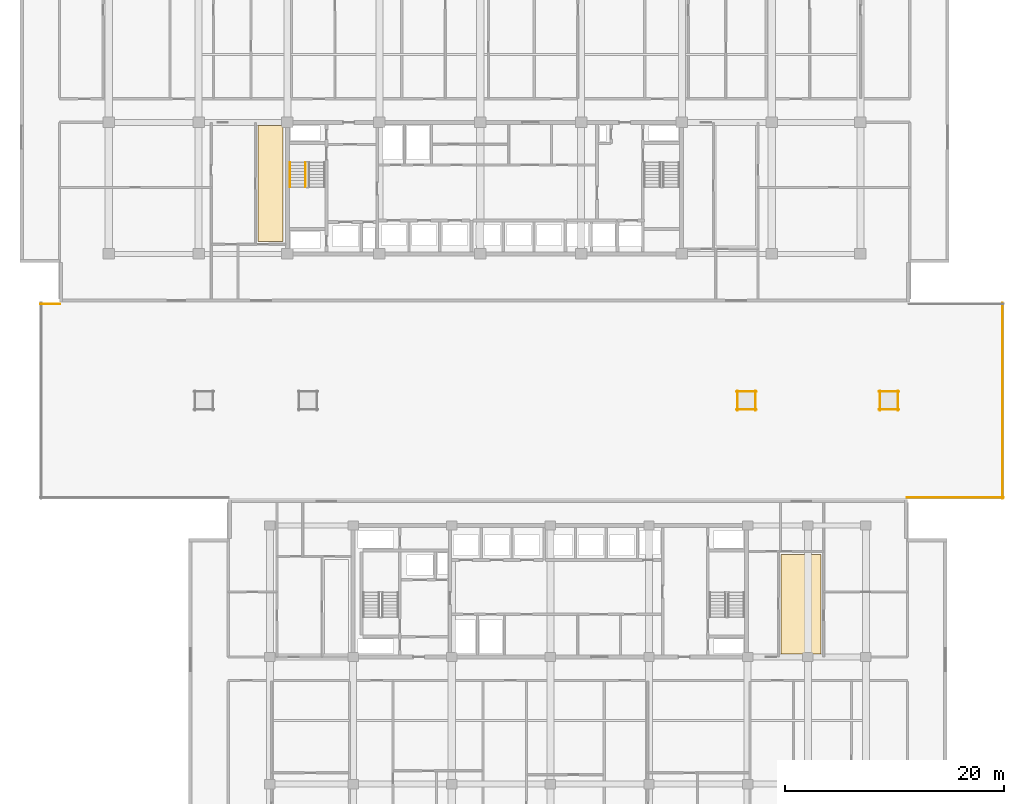
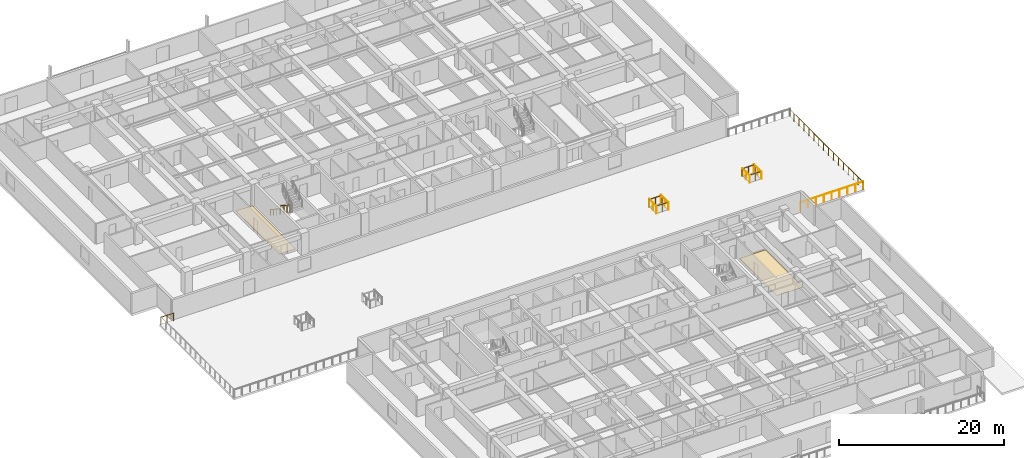
# One storey, part 22 of 24: 13 railings, 2 coverings.
"""IFC4 building model written with IfcOpenShell, lengths in metres."""

from ifc_helpers import new_model, si_unit, direction, frame, origin, origin_2d, place, context, subcontext, project, spatial, polyline, circle, outline, extrude, material, layer, layer_set, type_object, element, save


model = new_model("IFC4")

# Units and contexts
model_context = context("Model", 3, precision=1e-05, world=origin(), true_north=direction((0.0, 1.0)))
body_context = subcontext(model_context, "Body", "Model", "MODEL_VIEW")
ifc_project = project(units=[si_unit("LENGTHUNIT", "METRE"), si_unit("AREAUNIT", "SQUARE_METRE"), si_unit("VOLUMEUNIT", "CUBIC_METRE"), si_unit("PLANEANGLEUNIT", "RADIAN"), si_unit("MASSUNIT", "GRAM", prefix="KILO")], contexts=[model_context])

# Site, building, storey
site_placement = place(None, origin())
site = spatial("IfcSite", under=ifc_project, at=site_placement, CompositionType="ELEMENT")
building_placement = place(site_placement, origin())
building = spatial("IfcBuilding", under=site, at=building_placement, Name="Korimba Cascade Residences", CompositionType="ELEMENT")
storey_placement = place(building_placement, frame((0.0, 0.0, 24.0)))
storey = spatial("IfcBuildingStorey", under=building, at=storey_placement, Name="L05", CompositionType="ELEMENT", Elevation=24.0)

# Coverings
ifc_material_1 = material(Name="Engineered Spotted-Gum Timber Flooring", Category="wood")
ifc_layer = layer(ifc_material_1, 0.02001953125)
ifc_layer_set = layer_set([ifc_layer], Name="Engineered Spotted-Gum Timber Flooring")
covering_type = type_object("IfcCoveringType", Name="COV-FLR-TIM", PredefinedType="FLOORING", material=ifc_layer_set)
covering_1_placement = place(storey_placement, origin())
element("IfcCovering", 1, at=covering_1_placement, inside=storey, type_object=covering_type, Name="L05 Spotted-Gum Timber Flooring L05-T1-FW-L", PredefinedType="FLOORING", context=body_context, shape_type="SweptSolid", body=[
    extrude(outline(polyline([(73.429931640625, 56.340087890625), (75.699951171875, 56.340087890625), (75.699951171875, 66.89990234375), (73.429931640625, 66.89990234375), (73.429931640625, 56.340087890625)])), origin(), (0.0, 0.0, 1.0), 0.02001953125),
])
covering_2_placement = place(storey_placement, origin())
element("IfcCovering", 2, at=covering_2_placement, inside=storey, type_object=covering_type, Name="L05 Spotted-Gum Timber Flooring L05-T2-FE-L", PredefinedType="FLOORING", context=body_context, shape_type="SweptSolid", body=[
    extrude(outline(polyline([(121.159912109375, 18.699951171875), (124.800048828125, 18.699951171875), (124.800048828125, 27.780029296875), (121.159912109375, 27.780029296875), (121.159912109375, 18.699951171875)])), origin(), (0.0, 0.0, 1.0), 0.02001953125),
])

# Railings
ifc_material_2 = material(Name="Painted Steel Stairwell Guardrail", Category="steel")
railing_type_1 = type_object("IfcRailingType", Name="RLG-ST-GD1150", PredefinedType="GUARDRAIL", material=ifc_material_2)
railing_1_placement = place(storey_placement, frame((77.77001953125, 63.550048828125, 0.1806640625)))
element("IfcRailing", 3, at=railing_1_placement, inside=storey, type_object=railing_type_1, Name="L05 ST-W1 stair guard 1", PredefinedType="GUARDRAIL", context=body_context, shape_type="SweptSolid", body=[
    extrude(circle(Radius=0.02392578125, at=origin_2d()), frame((0.0, 0.0, 1.1259765625), z_axis=(0.0, -0.840436612492, 0.541909863706), x_axis=(1.0, 0.0, 0.0)), (0.0, 0.0, 1.0), 2.665283203125),
    extrude(circle(Radius=0.02099609375, at=origin_2d()), origin(), (0.0, 0.0, 1.0), 1.101806640625),
    extrude(circle(Radius=0.02099609375, at=origin_2d()), frame((0.0, -0.74658203125, 0.4814453125)), (0.0, 0.0, 1.0), 1.101806640625),
    extrude(circle(Radius=0.02099609375, at=origin_2d()), frame((0.0, -1.493408203125, 0.962890625)), (0.0, 0.0, 1.0), 1.101806640625),
    extrude(circle(Radius=0.02099609375, at=origin_2d()), frame((0.0, -2.239990234375, 1.4443359375)), (0.0, 0.0, 1.0), 1.101806640625),
])
ifc_material_3 = material(Name="Brushed Stainless Steel Handrail", Category="steel")
railing_type_2 = type_object("IfcRailingType", Name="RLG-ST-HR900", PredefinedType="HANDRAIL", material=ifc_material_3)
railing_2_placement = place(storey_placement, frame((76.35009765625, 63.550048828125, 0.364990234375)))
element("IfcRailing", 4, at=railing_2_placement, inside=storey, type_object=railing_type_2, Name="L05 ST-W1 stair handrail 1", PredefinedType="HANDRAIL", context=body_context, shape_type="SweptSolid", body=[
    extrude(circle(Radius=0.02392578125, at=origin_2d()), frame((0.0, 0.0, 0.8759765625), z_axis=(0.0, -0.840436612492, 0.541909863706), x_axis=(1.0, 0.0, 0.0)), (0.0, 0.0, 1.0), 2.665283203125),
    extrude(circle(Radius=0.02099609375, at=origin_2d()), origin(), (0.0, 0.0, 1.0), 0.851806640625),
    extrude(circle(Radius=0.02099609375, at=origin_2d()), frame((0.0, -0.74658203125, 0.4814453125)), (0.0, 0.0, 1.0), 0.851806640625),
    extrude(circle(Radius=0.02099609375, at=origin_2d()), frame((0.0, -1.493408203125, 0.962890625)), (0.0, 0.0, 1.0), 0.851806640625),
    extrude(circle(Radius=0.02099609375, at=origin_2d()), frame((0.0, -2.239990234375, 1.4443359375)), (0.0, 0.0, 1.0), 0.851806640625),
])
ifc_material_4 = material(Name="Painted Galvanised Steel Terrace Guardrail", Category="steel")
railing_type_3 = type_object("IfcRailingType", Name="RLG-TER-1150", PredefinedType="GUARDRAIL", material=ifc_material_4)
railing_3_placement = place(storey_placement, frame((132.64990234375, 32.9599609375, 0.0)))
element("IfcRailing", 5, at=railing_3_placement, inside=storey, type_object=railing_type_3, Name="L05 Perimeter Guardrail RLG-L05-PODRF-02", PredefinedType="GUARDRAIL", context=body_context, shape_type="SweptSolid", body=[
    extrude(circle(Radius=0.02392578125, at=origin_2d()), frame((0.0, 0.0, 1.1259765625), z_axis=(1.0, 0.0, 0.0), x_axis=(0.0, 1.0, 0.0)), (0.0, 0.0, 1.0), 8.7900390625),
    extrude(circle(Radius=0.02099609375, at=origin_2d()), origin(), (0.0, 0.0, 1.0), 1.101806640625),
    extrude(circle(Radius=0.02099609375, at=origin_2d()), frame((1.0986328125, 0.0, 0.0)), (0.0, 0.0, 1.0), 1.101806640625),
    extrude(circle(Radius=0.02099609375, at=origin_2d()), frame((2.197509765625, 0.0, 0.0)), (0.0, 0.0, 1.0), 1.101806640625),
    extrude(circle(Radius=0.02099609375, at=origin_2d()), frame((3.29638671875, 0.0, 0.0)), (0.0, 0.0, 1.0), 1.101806640625),
    extrude(circle(Radius=0.02099609375, at=origin_2d()), frame((4.39501953125, 0.0, 0.0)), (0.0, 0.0, 1.0), 1.101806640625),
    extrude(circle(Radius=0.02099609375, at=origin_2d()), frame((5.49365234375, 0.0, 0.0)), (0.0, 0.0, 1.0), 1.101806640625),
    extrude(circle(Radius=0.02099609375, at=origin_2d()), frame((6.592529296875, 0.0, 0.0)), (0.0, 0.0, 1.0), 1.101806640625),
    extrude(circle(Radius=0.02099609375, at=origin_2d()), frame((7.69140625, 0.0, 0.0)), (0.0, 0.0, 1.0), 1.101806640625),
    extrude(circle(Radius=0.02099609375, at=origin_2d()), frame((8.7900390625, 0.0, 0.0)), (0.0, 0.0, 1.0), 1.101806640625),
])
railing_4_placement = place(storey_placement, frame((141.360107421875, 32.8798828125, 0.0)))
element("IfcRailing", 6, at=railing_4_placement, inside=storey, type_object=railing_type_3, Name="L05 Perimeter Guardrail RLG-L05-PODRF-03", PredefinedType="GUARDRAIL", context=body_context, shape_type="SweptSolid", body=[
    extrude(circle(Radius=0.02392578125, at=origin_2d()), frame((0.0, 0.0, 1.1259765625), z_axis=(0.0, 1.0, 0.0), x_axis=(-1.0, 0.0, 0.0)), (0.0, 0.0, 1.0), 17.840087890625),
    extrude(circle(Radius=0.02099609375, at=origin_2d()), origin(), (0.0, 0.0, 1.0), 1.101806640625),
    extrude(circle(Radius=0.02099609375, at=origin_2d()), frame((0.0, 1.189453125, 0.0)), (0.0, 0.0, 1.0), 1.101806640625),
    extrude(circle(Radius=0.02099609375, at=origin_2d()), frame((0.0, 2.378662109375, 0.0)), (0.0, 0.0, 1.0), 1.101806640625),
    extrude(circle(Radius=0.02099609375, at=origin_2d()), frame((0.0, 3.568115234375, 0.0)), (0.0, 0.0, 1.0), 1.101806640625),
    extrude(circle(Radius=0.02099609375, at=origin_2d()), frame((0.0, 4.75732421875, 0.0)), (0.0, 0.0, 1.0), 1.101806640625),
    extrude(circle(Radius=0.02099609375, at=origin_2d()), frame((0.0, 5.94677734375, 0.0)), (0.0, 0.0, 1.0), 1.101806640625),
    extrude(circle(Radius=0.02099609375, at=origin_2d()), frame((0.0, 7.135986328125, 0.0)), (0.0, 0.0, 1.0), 1.101806640625),
    extrude(circle(Radius=0.02099609375, at=origin_2d()), frame((0.0, 8.325439453125, 0.0)), (0.0, 0.0, 1.0), 1.101806640625),
    extrude(circle(Radius=0.02099609375, at=origin_2d()), frame((0.0, 9.5146484375, 0.0)), (0.0, 0.0, 1.0), 1.101806640625),
    extrude(circle(Radius=0.02099609375, at=origin_2d()), frame((0.0, 10.7041015625, 0.0)), (0.0, 0.0, 1.0), 1.101806640625),
    extrude(circle(Radius=0.02099609375, at=origin_2d()), frame((0.0, 11.893310546875, 0.0)), (0.0, 0.0, 1.0), 1.101806640625),
    extrude(circle(Radius=0.02099609375, at=origin_2d()), frame((0.0, 13.082763671875, 0.0)), (0.0, 0.0, 1.0), 1.101806640625),
    extrude(circle(Radius=0.02099609375, at=origin_2d()), frame((0.0, 14.27197265625, 0.0)), (0.0, 0.0, 1.0), 1.101806640625),
    extrude(circle(Radius=0.02099609375, at=origin_2d()), frame((0.0, 15.46142578125, 0.0)), (0.0, 0.0, 1.0), 1.101806640625),
    extrude(circle(Radius=0.02099609375, at=origin_2d()), frame((0.0, 16.650634765625, 0.0)), (0.0, 0.0, 1.0), 1.101806640625),
    extrude(circle(Radius=0.02099609375, at=origin_2d()), frame((0.0, 17.840087890625, 0.0)), (0.0, 0.0, 1.0), 1.101806640625),
])
railing_5_placement = place(storey_placement, frame((55.35009765625, 50.639892578125, 0.0)))
element("IfcRailing", 7, at=railing_5_placement, inside=storey, type_object=railing_type_3, Name="L05 Perimeter Guardrail RLG-L05-PODRF-05", PredefinedType="GUARDRAIL", context=body_context, shape_type="SweptSolid", body=[
    extrude(circle(Radius=0.02392578125, at=origin_2d()), frame((0.0, 0.0, 1.1259765625), z_axis=(-1.0, 0.0, 0.0), x_axis=(0.0, -1.0, 0.0)), (0.0, 0.0, 1.0), 1.7900390625),
    extrude(circle(Radius=0.02099609375, at=origin_2d()), origin(), (0.0, 0.0, 1.0), 1.101806640625),
    extrude(circle(Radius=0.02099609375, at=origin_2d()), frame((-0.89501953125, 0.0, 0.0)), (0.0, 0.0, 1.0), 1.101806640625),
    extrude(circle(Radius=0.02099609375, at=origin_2d()), frame((-1.7900390625, 0.0, 0.0)), (0.0, 0.0, 1.0), 1.101806640625),
])
railing_6_placement = place(storey_placement, frame((117.10009765625, 40.97998046875, 0.0)))
element("IfcRailing", 8, at=railing_6_placement, inside=storey, type_object=railing_type_3, Name="L05 Perimeter Guardrail RLG-L05-SKY-3-01", PredefinedType="GUARDRAIL", context=body_context, shape_type="SweptSolid", body=[
    extrude(circle(Radius=0.02392578125, at=origin_2d()), frame((0.0, 0.0, 1.1259765625), z_axis=(1.0, 0.0, 0.0), x_axis=(0.0, 1.0, 0.0)), (0.0, 0.0, 1.0), 1.7998046875),
    extrude(circle(Radius=0.02099609375, at=origin_2d()), origin(), (0.0, 0.0, 1.0), 1.101806640625),
    extrude(circle(Radius=0.02099609375, at=origin_2d()), frame((0.89990234375, 0.0, 0.0)), (0.0, 0.0, 1.0), 1.101806640625),
    extrude(circle(Radius=0.02099609375, at=origin_2d()), frame((1.7998046875, 0.0, 0.0)), (0.0, 0.0, 1.0), 1.101806640625),
])
railing_7_placement = place(storey_placement, frame((118.820068359375, 40.89990234375, 0.0)))
element("IfcRailing", 9, at=railing_7_placement, inside=storey, type_object=railing_type_3, Name="L05 Perimeter Guardrail RLG-L05-SKY-3-02", PredefinedType="GUARDRAIL", context=body_context, shape_type="SweptSolid", body=[
    extrude(circle(Radius=0.02392578125, at=origin_2d()), frame((0.0, 0.0, 1.1259765625), z_axis=(0.0, 1.0, 0.0), x_axis=(-1.0, 0.0, 0.0)), (0.0, 0.0, 1.0), 1.800048828125),
    extrude(circle(Radius=0.02099609375, at=origin_2d()), origin(), (0.0, 0.0, 1.0), 1.101806640625),
    extrude(circle(Radius=0.02099609375, at=origin_2d()), frame((0.0, 0.89990234375, 0.0)), (0.0, 0.0, 1.0), 1.101806640625),
    extrude(circle(Radius=0.02099609375, at=origin_2d()), frame((0.0, 1.800048828125, 0.0)), (0.0, 0.0, 1.0), 1.101806640625),
])
railing_8_placement = place(storey_placement, frame((118.89990234375, 42.6201171875, 0.0)))
element("IfcRailing", 10, at=railing_8_placement, inside=storey, type_object=railing_type_3, Name="L05 Perimeter Guardrail RLG-L05-SKY-3-03", PredefinedType="GUARDRAIL", context=body_context, shape_type="SweptSolid", body=[
    extrude(circle(Radius=0.02392578125, at=origin_2d()), frame((0.0, 0.0, 1.1259765625), z_axis=(-1.0, 0.0, 0.0), x_axis=(0.0, -1.0, 0.0)), (0.0, 0.0, 1.0), 1.7998046875),
    extrude(circle(Radius=0.02099609375, at=origin_2d()), origin(), (0.0, 0.0, 1.0), 1.101806640625),
    extrude(circle(Radius=0.02099609375, at=origin_2d()), frame((-0.89990234375, 0.0, 0.0)), (0.0, 0.0, 1.0), 1.101806640625),
    extrude(circle(Radius=0.02099609375, at=origin_2d()), frame((-1.7998046875, 0.0, 0.0)), (0.0, 0.0, 1.0), 1.101806640625),
])
railing_9_placement = place(storey_placement, frame((117.179931640625, 42.699951171875, 0.0)))
element("IfcRailing", 11, at=railing_9_placement, inside=storey, type_object=railing_type_3, Name="L05 Perimeter Guardrail RLG-L05-SKY-3-04", PredefinedType="GUARDRAIL", context=body_context, shape_type="SweptSolid", body=[
    extrude(circle(Radius=0.02392578125, at=origin_2d()), frame((0.0, 0.0, 1.1259765625), z_axis=(0.0, -1.0, 0.0), x_axis=(1.0, 0.0, 0.0)), (0.0, 0.0, 1.0), 1.800048828125),
    extrude(circle(Radius=0.02099609375, at=origin_2d()), origin(), (0.0, 0.0, 1.0), 1.101806640625),
    extrude(circle(Radius=0.02099609375, at=origin_2d()), frame((0.0, -0.89990234375, 0.0)), (0.0, 0.0, 1.0), 1.101806640625),
    extrude(circle(Radius=0.02099609375, at=origin_2d()), frame((0.0, -1.800048828125, 0.0)), (0.0, 0.0, 1.0), 1.101806640625),
])
railing_10_placement = place(storey_placement, frame((130.10009765625, 40.97998046875, 0.0)))
element("IfcRailing", 12, at=railing_10_placement, inside=storey, type_object=railing_type_3, Name="L05 Perimeter Guardrail RLG-L05-SKY-4-01", PredefinedType="GUARDRAIL", context=body_context, shape_type="SweptSolid", body=[
    extrude(circle(Radius=0.02392578125, at=origin_2d()), frame((0.0, 0.0, 1.1259765625), z_axis=(1.0, 0.0, 0.0), x_axis=(0.0, 1.0, 0.0)), (0.0, 0.0, 1.0), 1.7998046875),
    extrude(circle(Radius=0.02099609375, at=origin_2d()), origin(), (0.0, 0.0, 1.0), 1.101806640625),
    extrude(circle(Radius=0.02099609375, at=origin_2d()), frame((0.89990234375, 0.0, 0.0)), (0.0, 0.0, 1.0), 1.101806640625),
    extrude(circle(Radius=0.02099609375, at=origin_2d()), frame((1.7998046875, 0.0, 0.0)), (0.0, 0.0, 1.0), 1.101806640625),
])
railing_11_placement = place(storey_placement, frame((131.820068359375, 40.89990234375, 0.0)))
element("IfcRailing", 13, at=railing_11_placement, inside=storey, type_object=railing_type_3, Name="L05 Perimeter Guardrail RLG-L05-SKY-4-02", PredefinedType="GUARDRAIL", context=body_context, shape_type="SweptSolid", body=[
    extrude(circle(Radius=0.02392578125, at=origin_2d()), frame((0.0, 0.0, 1.1259765625), z_axis=(0.0, 1.0, 0.0), x_axis=(-1.0, 0.0, 0.0)), (0.0, 0.0, 1.0), 1.800048828125),
    extrude(circle(Radius=0.02099609375, at=origin_2d()), origin(), (0.0, 0.0, 1.0), 1.101806640625),
    extrude(circle(Radius=0.02099609375, at=origin_2d()), frame((0.0, 0.89990234375, 0.0)), (0.0, 0.0, 1.0), 1.101806640625),
    extrude(circle(Radius=0.02099609375, at=origin_2d()), frame((0.0, 1.800048828125, 0.0)), (0.0, 0.0, 1.0), 1.101806640625),
])
railing_12_placement = place(storey_placement, frame((131.89990234375, 42.6201171875, 0.0)))
element("IfcRailing", 14, at=railing_12_placement, inside=storey, type_object=railing_type_3, Name="L05 Perimeter Guardrail RLG-L05-SKY-4-03", PredefinedType="GUARDRAIL", context=body_context, shape_type="SweptSolid", body=[
    extrude(circle(Radius=0.02392578125, at=origin_2d()), frame((0.0, 0.0, 1.1259765625), z_axis=(-1.0, 0.0, 0.0), x_axis=(0.0, -1.0, 0.0)), (0.0, 0.0, 1.0), 1.7998046875),
    extrude(circle(Radius=0.02099609375, at=origin_2d()), origin(), (0.0, 0.0, 1.0), 1.101806640625),
    extrude(circle(Radius=0.02099609375, at=origin_2d()), frame((-0.89990234375, 0.0, 0.0)), (0.0, 0.0, 1.0), 1.101806640625),
    extrude(circle(Radius=0.02099609375, at=origin_2d()), frame((-1.7998046875, 0.0, 0.0)), (0.0, 0.0, 1.0), 1.101806640625),
])
railing_13_placement = place(storey_placement, frame((130.179931640625, 42.699951171875, 0.0)))
element("IfcRailing", 15, at=railing_13_placement, inside=storey, type_object=railing_type_3, Name="L05 Perimeter Guardrail RLG-L05-SKY-4-04", PredefinedType="GUARDRAIL", context=body_context, shape_type="SweptSolid", body=[
    extrude(circle(Radius=0.02392578125, at=origin_2d()), frame((0.0, 0.0, 1.1259765625), z_axis=(0.0, -1.0, 0.0), x_axis=(1.0, 0.0, 0.0)), (0.0, 0.0, 1.0), 1.800048828125),
    extrude(circle(Radius=0.02099609375, at=origin_2d()), origin(), (0.0, 0.0, 1.0), 1.101806640625),
    extrude(circle(Radius=0.02099609375, at=origin_2d()), frame((0.0, -0.89990234375, 0.0)), (0.0, 0.0, 1.0), 1.101806640625),
    extrude(circle(Radius=0.02099609375, at=origin_2d()), frame((0.0, -1.800048828125, 0.0)), (0.0, 0.0, 1.0), 1.101806640625),
])

save(model, "model.ifc")
